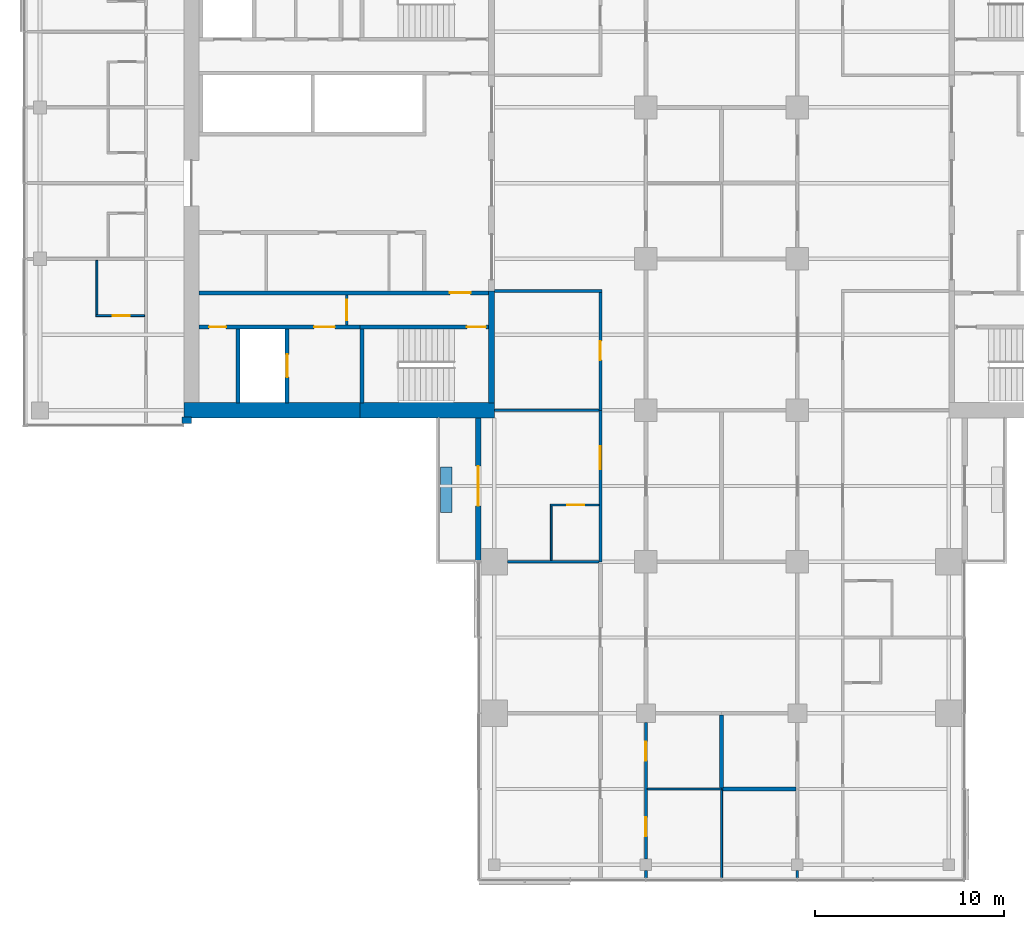
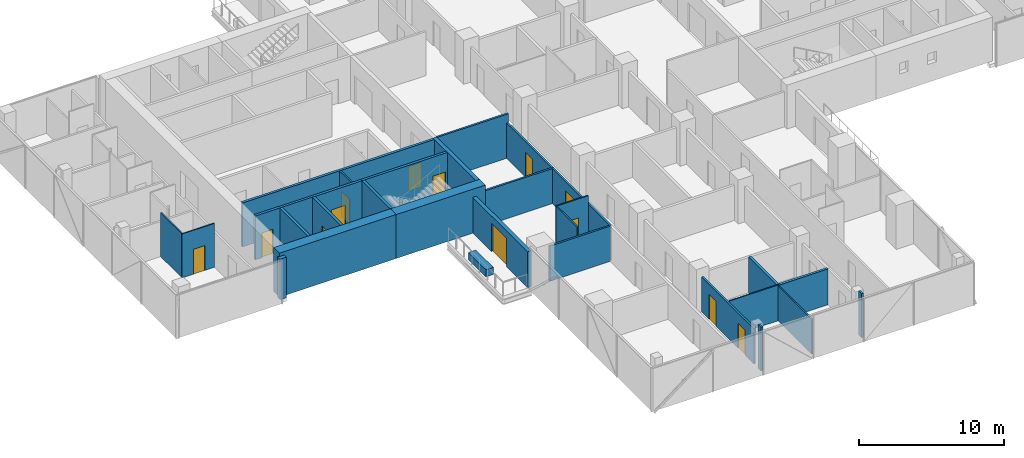
# One storey, part 15 of 27: 29 walls, 13 doors, 13 openings.
"""IFC4 building model written with IfcOpenShell, lengths in metres."""

from ifc_helpers import new_model, si_unit, direction, frame, frame_2d, origin, place, context, subcontext, project, spatial, rectangle, extrude, material, layer, layer_set, constituent, constituent_set, type_object, element, fill, save


model = new_model("IFC4")

# Units and contexts
model_context = context("Model", 3, precision=1e-05, world=origin(), true_north=direction((0.0, 1.0)))
body_context = subcontext(model_context, "Body", "Model", "MODEL_VIEW")
ifc_project = project(units=[si_unit("LENGTHUNIT", "METRE"), si_unit("AREAUNIT", "SQUARE_METRE"), si_unit("VOLUMEUNIT", "CUBIC_METRE"), si_unit("PLANEANGLEUNIT", "RADIAN"), si_unit("MASSUNIT", "GRAM", prefix="KILO")], contexts=[model_context])

# Site, building, storey
site_placement = place(None, origin())
site = spatial("IfcSite", under=ifc_project, at=site_placement, CompositionType="ELEMENT")
building_placement = place(site_placement, origin())
building = spatial("IfcBuilding", under=site, at=building_placement, Name="Crosswind Convention Tower", CompositionType="ELEMENT")
storey_placement = place(building_placement, frame((0.0, 0.0, 94.199951171875)))
storey = spatial("IfcBuildingStorey", under=building, at=storey_placement, Name="L18", CompositionType="ELEMENT", Elevation=94.199951171875)

# Walls
ifc_material_1 = material(Name="Concrete blockwork", Category="masonry")
ifc_layer_1 = layer(ifc_material_1, 0.199951171875)
ifc_layer_set_1 = layer_set([ifc_layer_1], Name="COMPARTMENT WALL 200")
wall_type_1 = type_object("IfcWallType", Name="COMPARTMENT WALL 200", PredefinedType="SOLIDWALL", material=ifc_layer_set_1)
wall_1_placement = place(storey_placement, frame((125.0, 68.0, 0.0), z_axis=(0.0, 0.0, 1.0), x_axis=(1.0, 0.0, 0.0)))
element("IfcWall", 1, at=wall_1_placement, inside=storey, type_object=wall_type_1, Name="Compartment Wall 2", PredefinedType="SOLIDWALL", context=body_context, shape_type="SweptSolid", body=[
    extrude(rectangle(XDim=3.925048828125, YDim=0.199951171875, at=frame_2d((1.96240234375, 0.0))), origin(), (0.0, 0.0, 1.0), 3.013671875),
])
wall_2_placement = place(storey_placement, frame((125.0, 68.050048828125, 0.0), z_axis=(0.0, 0.0, 1.0), x_axis=(0.0, 1.0, 0.0)))
element("IfcWall", 2, at=wall_2_placement, inside=storey, type_object=wall_type_1, Name="Compartment Wall 95", PredefinedType="SOLIDWALL", context=body_context, shape_type="SweptSolid", body=[
    extrude(rectangle(XDim=3.849853515625, YDim=0.199951171875, at=frame_2d((1.9248046875, 0.0))), origin(), (0.0, 0.0, 1.0), 3.013671875),
])
ifc_material_2 = material(Name="Plasterboard partition", Category="gypsum")
ifc_layer_2 = layer(ifc_material_2, 0.14990234375)
ifc_layer_set_2 = layer_set([ifc_layer_2], Name="CORRIDOR WALL 150")
wall_type_2 = type_object("IfcWallType", Name="CORRIDOR WALL 150", PredefinedType="PARTITIONING", material=ifc_layer_set_2)
wall_3_placement = place(storey_placement, frame((113.0, 94.300048828125, 0.0), z_axis=(0.0, 0.0, 1.0), x_axis=(1.0, 0.0, 0.0)))
element("IfcWall", 3, at=wall_3_placement, inside=storey, type_object=wall_type_2, Name="Corridor Wall 18", PredefinedType="PARTITIONING", context=body_context, shape_type="SweptSolid", body=[
    extrude(rectangle(XDim=5.675048828125, YDim=0.14990234375, at=frame_2d((2.83740234375, 0.0))), origin(), (0.0, 0.0, 1.0), 3.699951171875),
])

# Wall, opening, door
wall_4_placement = place(storey_placement, frame((118.60009765625, 88.0, 0.0), z_axis=(0.0, 0.0, 1.0), x_axis=(0.0, 1.0, 0.0)))
wall_4 = element("IfcWall", 4, at=wall_4_placement, inside=storey, type_object=wall_type_2, Name="Corridor Wall 80", PredefinedType="PARTITIONING", context=body_context, shape_type="SweptSolid", body=[
    extrude(rectangle(XDim=6.22509765625, YDim=0.14990234375, at=frame_2d((3.112548828125, 0.0))), origin(), (0.0, 0.0, 1.0), 2.95654296875),
])
opening_1_placement = place(wall_4_placement, frame((2.64990234375, 0.0, 0.0)))
opening_1 = element("IfcOpeningElement", 5, at=opening_1_placement, cuts=wall_4, Name="Opening 18.004", PredefinedType="OPENING", context=body_context, shape_type="SweptSolid", body=[
    extrude(rectangle(XDim=1.0, YDim=2.10009765625, at=frame_2d((0.5, 1.050048828125))), frame((0.0, 0.0849609375, 0.0), z_axis=(0.0, -1.0, 0.0), x_axis=(1.0, 0.0, 0.0)), (0.0, 0.0, 1.0), 0.169921875),
])
ifc_material_3 = material(Name="Timber fire door", Category="wood")
door_type_1 = type_object("IfcDoorType", Name="SERVICE ROOM DOOR 1000X2100", OperationType="NOTDEFINED", PredefinedType="DOOR", material=ifc_material_3)
door_1_placement = place(opening_1_placement, origin())
door_1 = element("IfcDoor", 6, at=door_1_placement, inside=storey, type_object=door_type_1, Name="Door 18.004", ObjectType="D3", OperationType="SINGLE_SWING_RIGHT", OverallHeight=2.10009765625, OverallWidth=1.0, PredefinedType="DOOR", context=body_context, shape_type="SweptSolid", body=[
    extrude(rectangle(XDim=1.0, YDim=2.10009765625, at=frame_2d((0.5, 1.050048828125))), frame((0.0, 0.02490234375, 0.0), z_axis=(0.0, -1.0, 0.0), x_axis=(1.0, 0.0, 0.0)), (0.0, 0.0, 1.0), 0.050048828125),
])
fill(opening_1, door_1)

# Wall
wall_5_placement = place(storey_placement, frame((121.0, 63.300048828125, 0.0), z_axis=(0.0, 0.0, 1.0), x_axis=(0.0, 1.0, 0.0)))
element("IfcWall", 7, at=wall_5_placement, inside=storey, type_object=wall_type_2, Name="Corridor Wall 83", PredefinedType="PARTITIONING", context=body_context, shape_type="SweptSolid", body=[
    extrude(rectangle(XDim=0.39990234375, YDim=0.14990234375, at=frame_2d((0.199951171875, 0.0))), origin(), (0.0, 0.0, 1.0), 3.699951171875),
])

# Wall, openings, doors
wall_6_placement = place(storey_placement, frame((121.0, 64.300048828125, 0.0), z_axis=(0.0, 0.0, 1.0), x_axis=(0.0, 1.0, 0.0)))
wall_6 = element("IfcWall", 8, at=wall_6_placement, inside=storey, type_object=wall_type_2, Name="Corridor Wall 84", PredefinedType="PARTITIONING", context=body_context, shape_type="SweptSolid", body=[
    extrude(rectangle(XDim=7.199951171875, YDim=0.14990234375, at=frame_2d((3.60009765625, 0.0))), origin(), (0.0, 0.0, 1.0), 2.9599609375),
])
opening_2_placement = place(wall_6_placement, frame((1.199951171875, 0.0, 0.0)))
opening_2 = element("IfcOpeningElement", 9, at=opening_2_placement, cuts=wall_6, Name="Opening 18.050", PredefinedType="OPENING", context=body_context, shape_type="SweptSolid", body=[
    extrude(rectangle(XDim=1.0, YDim=2.10009765625, at=frame_2d((0.5, 1.050048828125))), frame((0.0, 0.0849609375, 0.0), z_axis=(0.0, -1.0, 0.0), x_axis=(1.0, 0.0, 0.0)), (0.0, 0.0, 1.0), 0.169921875),
])
opening_3_placement = place(wall_6_placement, frame((5.199951171875, 0.0, 0.0)))
opening_3 = element("IfcOpeningElement", 10, at=opening_3_placement, cuts=wall_6, Name="Opening 18.051", PredefinedType="OPENING", context=body_context, shape_type="SweptSolid", body=[
    extrude(rectangle(XDim=1.0, YDim=2.10009765625, at=frame_2d((0.5, 1.050048828125))), frame((0.0, 0.0849609375, 0.0), z_axis=(0.0, -1.0, 0.0), x_axis=(1.0, 0.0, 0.0)), (0.0, 0.0, 1.0), 0.169921875),
])
door_2_placement = place(opening_2_placement, frame((1.0, 0.0, 0.0), z_axis=(0.0, 0.0, 1.0), x_axis=(-1.0, 0.0, 0.0)))
door_2 = element("IfcDoor", 11, at=door_2_placement, inside=storey, type_object=door_type_1, Name="Door 18.050", ObjectType="D3", OperationType="SINGLE_SWING_RIGHT", OverallHeight=2.10009765625, OverallWidth=1.0, PredefinedType="DOOR", context=body_context, shape_type="SweptSolid", body=[
    extrude(rectangle(XDim=1.0, YDim=2.10009765625, at=frame_2d((0.5, 1.050048828125))), frame((0.0, 0.02490234375, 0.0), z_axis=(0.0, -1.0, 0.0), x_axis=(1.0, 0.0, 0.0)), (0.0, 0.0, 1.0), 0.050048828125),
])
fill(opening_2, door_2)
door_3_placement = place(opening_3_placement, frame((1.0, 0.0, 0.0), z_axis=(0.0, 0.0, 1.0), x_axis=(-1.0, 0.0, 0.0)))
door_3 = element("IfcDoor", 12, at=door_3_placement, inside=storey, type_object=door_type_1, Name="Door 18.051", ObjectType="D3", OperationType="SINGLE_SWING_LEFT", OverallHeight=2.10009765625, OverallWidth=1.0, PredefinedType="DOOR", context=body_context, shape_type="SweptSolid", body=[
    extrude(rectangle(XDim=1.0, YDim=2.10009765625, at=frame_2d((0.5, 1.050048828125))), frame((0.0, 0.02490234375, 0.0), z_axis=(0.0, -1.0, 0.0), x_axis=(1.0, 0.0, 0.0)), (0.0, 0.0, 1.0), 0.050048828125),
])
fill(opening_3, door_3)

# Walls
wall_7_placement = place(storey_placement, frame((129.0, 63.300048828125, 0.0), z_axis=(0.0, 0.0, 1.0), x_axis=(0.0, 1.0, 0.0)))
element("IfcWall", 13, at=wall_7_placement, inside=storey, type_object=wall_type_2, Name="Corridor Wall 101", PredefinedType="PARTITIONING", context=body_context, shape_type="SweptSolid", body=[
    extrude(rectangle(XDim=0.39990234375, YDim=0.14990234375, at=frame_2d((0.199951171875, 0.0))), origin(), (0.0, 0.0, 1.0), 3.699951171875),
])
ifc_material_4 = material(Name="Concrete C50/60", Category="concrete")
ifc_layer_3 = layer(ifc_material_4, 0.300048828125)
ifc_layer_set_3 = layer_set([ifc_layer_3], Name="Concrete C50/60")
wall_type_3 = type_object("IfcWallType", Name="Concrete inner core wall 300", PredefinedType="SHEAR", material=ifc_layer_set_3)
wall_8_placement = place(storey_placement, frame((112.85009765625, 94.300048828125, 0.0), z_axis=(0.0, 0.0, 1.0), x_axis=(0.0, -1.0, 0.0)))
element("IfcWall", 14, at=wall_8_placement, inside=storey, type_object=wall_type_3, Name="Wall EP W L18", PredefinedType="SHEAR", context=body_context, shape_type="SweptSolid", body=[
    extrude(rectangle(XDim=5.900146484375, YDim=0.300048828125, at=frame_2d((2.9501953125, 0.0))), origin(), (0.0, 0.0, 1.0), 3.699951171875),
])

# Wall, opening, door
ifc_layer_4 = layer(ifc_material_4, 0.199951171875)
ifc_layer_set_4 = layer_set([ifc_layer_4], Name="Concrete C50/60")
wall_type_4 = type_object("IfcWallType", Name="Concrete shaft and stair wall 200", PredefinedType="SHEAR", material=ifc_layer_set_4)
wall_9_placement = place(storey_placement, frame((112.699951171875, 94.199951171875, 0.0), z_axis=(0.0, 0.0, 1.0), x_axis=(-1.0, 0.0, 0.0)))
wall_9 = element("IfcWall", 15, at=wall_9_placement, inside=storey, type_object=wall_type_4, Name="Wall HP W L18", PredefinedType="SHEAR", context=body_context, shape_type="SweptSolid", body=[
    extrude(rectangle(XDim=15.300048828125, YDim=0.199951171875, at=frame_2d((7.64990234375, 0.0))), origin(), (0.0, 0.0, 1.0), 3.699951171875),
])
opening_4_placement = place(wall_9_placement, frame((0.949951171875, 0.0, 0.0)))
opening_4 = element("IfcOpeningElement", 16, at=opening_4_placement, cuts=wall_9, Name="Opening D104", PredefinedType="OPENING", context=body_context, shape_type="SweptSolid", body=[
    extrude(rectangle(XDim=1.10009765625, YDim=2.10009765625, at=frame_2d((0.550048828125, 1.050048828125))), frame((0.0, 0.10986328125, 0.0), z_axis=(0.0, -1.0, 0.0), x_axis=(1.0, 0.0, 0.0)), (0.0, 0.0, 1.0), 0.219970703125),
])
ifc_material_5 = material(Name="Steel fire door", Category="steel")
door_type_2 = type_object("IfcDoorType", Name="Fire-rated single door 1100x2100", OperationType="NOTDEFINED", PredefinedType="DOOR", material=ifc_material_5)
door_4_placement = place(opening_4_placement, origin())
door_4 = element("IfcDoor", 17, at=door_4_placement, inside=storey, type_object=door_type_2, Name="Corridor door L18", ObjectType="D104", OperationType="SINGLE_SWING_LEFT", OverallHeight=2.10009765625, OverallWidth=1.10009765625, PredefinedType="DOOR", context=body_context, shape_type="SweptSolid", body=[
    extrude(rectangle(XDim=1.10009765625, YDim=2.10009765625, at=frame_2d((0.550048828125, 1.050048828125))), frame((0.0, 0.02490234375, 0.0), z_axis=(0.0, -1.0, 0.0), x_axis=(1.0, 0.0, 0.0)), (0.0, 0.0, 1.0), 0.050048828125),
])
fill(opening_4, door_4)

# Wall
wall_10_placement = place(storey_placement, frame((106.0, 92.300048828125, 0.0), z_axis=(0.0, 0.0, 1.0), x_axis=(0.0, -1.0, 0.0)))
element("IfcWall", 18, at=wall_10_placement, inside=storey, type_object=wall_type_4, Name="Wall PSE W L18", PredefinedType="SHEAR", context=body_context, shape_type="SweptSolid", body=[
    extrude(rectangle(XDim=3.900146484375, YDim=0.199951171875, at=frame_2d((1.9501953125, 0.0))), origin(), (0.0, 0.0, 1.0), 3.699951171875),
])

# Wall, opening, door
wall_11_placement = place(storey_placement, frame((102.050048828125, 92.300048828125, 0.0), z_axis=(0.0, 0.0, 1.0), x_axis=(0.0, -1.0, 0.0)))
wall_11 = element("IfcWall", 19, at=wall_11_placement, inside=storey, type_object=wall_type_4, Name="Wall PFLW W L18", PredefinedType="SHEAR", context=body_context, shape_type="SweptSolid", body=[
    extrude(rectangle(XDim=3.900146484375, YDim=0.199951171875, at=frame_2d((1.9501953125, 0.0))), origin(), (0.0, 0.0, 1.0), 3.699951171875),
])
opening_5_placement = place(wall_11_placement, frame((1.35009765625, 0.0, 0.0)))
opening_5 = element("IfcOpeningElement", 20, at=opening_5_placement, cuts=wall_11, Name="Opening LD1", PredefinedType="OPENING", context=body_context, shape_type="SweptSolid", body=[
    extrude(rectangle(XDim=1.199951171875, YDim=2.10009765625, at=frame_2d((0.60009765625, 1.050048828125))), frame((0.0, 0.10986328125, 0.0), z_axis=(0.0, -1.0, 0.0), x_axis=(1.0, 0.0, 0.0)), (0.0, 0.0, 1.0), 0.219970703125),
])
ifc_material_6 = material(Name="Stainless steel", Category="steel")
door_type_3 = type_object("IfcDoorType", Name="Lift landing door 1200x2100", OperationType="DOUBLE_DOOR_SLIDING", PredefinedType="DOOR", material=ifc_material_6)
door_5_placement = place(opening_5_placement, origin())
door_5 = element("IfcDoor", 21, at=door_5_placement, inside=storey, type_object=door_type_3, Name="Landing door FF2 L18", ObjectType="LD1", OperationType="DOUBLE_DOOR_SLIDING", OverallHeight=2.10009765625, OverallWidth=1.199951171875, PredefinedType="DOOR", context=body_context, shape_type="SweptSolid", body=[
    extrude(rectangle(XDim=1.199951171875, YDim=2.10009765625, at=frame_2d((0.60009765625, 1.050048828125))), frame((0.0, 0.02490234375, 0.0), z_axis=(0.0, -1.0, 0.0), x_axis=(1.0, 0.0, 0.0)), (0.0, 0.0, 1.0), 0.050048828125),
])
fill(opening_5, door_5)

# Wall
wall_12_placement = place(storey_placement, frame((99.449951171875, 92.300048828125, 0.0), z_axis=(0.0, 0.0, 1.0), x_axis=(0.0, -1.0, 0.0)))
element("IfcWall", 22, at=wall_12_placement, inside=storey, type_object=wall_type_4, Name="Wall PFSE W L18", PredefinedType="SHEAR", context=body_context, shape_type="SweptSolid", body=[
    extrude(rectangle(XDim=3.900146484375, YDim=0.199951171875, at=frame_2d((1.9501953125, 0.0))), origin(), (0.0, 0.0, 1.0), 3.699951171875),
])

# Wall, opening, door
wall_13_placement = place(storey_placement, frame((112.699951171875, 92.39990234375, 0.0), z_axis=(0.0, 0.0, 1.0), x_axis=(-1.0, 0.0, 0.0)))
wall_13 = element("IfcWall", 23, at=wall_13_placement, inside=storey, type_object=wall_type_4, Name="Wall PCW W L18", PredefinedType="SHEAR", context=body_context, shape_type="SweptSolid", body=[
    extrude(rectangle(XDim=6.800048828125, YDim=0.199951171875, at=frame_2d((3.39990234375, 0.0))), origin(), (0.0, 0.0, 1.0), 3.699951171875),
])
opening_6_placement = place(wall_13_placement, frame((0.14990234375, 0.0, 0.0)))
opening_6 = element("IfcOpeningElement", 24, at=opening_6_placement, cuts=wall_13, Name="Opening D103", PredefinedType="OPENING", context=body_context, shape_type="SweptSolid", body=[
    extrude(rectangle(XDim=1.0, YDim=2.10009765625, at=frame_2d((0.5, 1.050048828125))), frame((0.0, 0.10986328125, 0.0), z_axis=(0.0, -1.0, 0.0), x_axis=(1.0, 0.0, 0.0)), (0.0, 0.0, 1.0), 0.219970703125),
])
door_type_4 = type_object("IfcDoorType", Name="Fire-rated single door 1000x2100", OperationType="NOTDEFINED", PredefinedType="DOOR", material=ifc_material_5)
door_6_placement = place(opening_6_placement, origin())
door_6 = element("IfcDoor", 25, at=door_6_placement, inside=storey, type_object=door_type_4, Name="Stair ST3 door L18", ObjectType="D103", OperationType="SINGLE_SWING_LEFT", OverallHeight=2.10009765625, OverallWidth=1.0, PredefinedType="DOOR", context=body_context, shape_type="SweptSolid", body=[
    extrude(rectangle(XDim=1.0, YDim=2.10009765625, at=frame_2d((0.5, 1.050048828125))), frame((0.0, 0.02490234375, 0.0), z_axis=(0.0, -1.0, 0.0), x_axis=(1.0, 0.0, 0.0)), (0.0, 0.0, 1.0), 0.050048828125),
])
fill(opening_6, door_6)

# Wall, openings, doors
wall_14_placement = place(storey_placement, frame((105.89990234375, 92.39990234375, 0.0), z_axis=(0.0, 0.0, 1.0), x_axis=(-1.0, 0.0, 0.0)))
wall_14 = element("IfcWall", 26, at=wall_14_placement, inside=storey, type_object=wall_type_4, Name="Wall PCX W L18", PredefinedType="SHEAR", context=body_context, shape_type="SweptSolid", body=[
    extrude(rectangle(XDim=8.5, YDim=0.199951171875, at=frame_2d((4.25, 0.0))), origin(), (0.0, 0.0, 1.0), 3.699951171875),
])
opening_7_placement = place(wall_14_placement, frame((1.324951171875, 0.0, 0.0)))
opening_7 = element("IfcOpeningElement", 27, at=opening_7_placement, cuts=wall_14, Name="Opening D104", PredefinedType="OPENING", context=body_context, shape_type="SweptSolid", body=[
    extrude(rectangle(XDim=1.10009765625, YDim=2.10009765625, at=frame_2d((0.550048828125, 1.050048828125))), frame((0.0, 0.10986328125, 0.0), z_axis=(0.0, -1.0, 0.0), x_axis=(1.0, 0.0, 0.0)), (0.0, 0.0, 1.0), 0.219970703125),
])
opening_8_placement = place(wall_14_placement, frame((7.074951171875, 0.0, 0.0)))
opening_8 = element("IfcOpeningElement", 28, at=opening_8_placement, cuts=wall_14, Name="Opening D106", PredefinedType="OPENING", context=body_context, shape_type="SweptSolid", body=[
    extrude(rectangle(XDim=0.89990234375, YDim=2.10009765625, at=frame_2d((0.449951171875, 1.050048828125))), frame((0.0, 0.10986328125, 0.0), z_axis=(0.0, -1.0, 0.0), x_axis=(1.0, 0.0, 0.0)), (0.0, 0.0, 1.0), 0.219970703125),
])
door_7_placement = place(opening_7_placement, origin())
door_7 = element("IfcDoor", 29, at=door_7_placement, inside=storey, type_object=door_type_2, Name="Fire-fighting lobby FF2 door L18", ObjectType="D104", OperationType="SINGLE_SWING_RIGHT", OverallHeight=2.10009765625, OverallWidth=1.10009765625, PredefinedType="DOOR", context=body_context, shape_type="SweptSolid", body=[
    extrude(rectangle(XDim=1.10009765625, YDim=2.10009765625, at=frame_2d((0.550048828125, 1.050048828125))), frame((0.0, 0.02490234375, 0.0), z_axis=(0.0, -1.0, 0.0), x_axis=(1.0, 0.0, 0.0)), (0.0, 0.0, 1.0), 0.050048828125),
])
fill(opening_7, door_7)
ifc_material_7 = material(Name="Timber door", Category="wood")
door_type_5 = type_object("IfcDoorType", Name="Single leaf door 900x2100", OperationType="NOTDEFINED", PredefinedType="DOOR", material=ifc_material_7)
door_8_placement = place(opening_8_placement, origin())
door_8 = element("IfcDoor", 30, at=door_8_placement, inside=storey, type_object=door_type_5, Name="Door to electrical room L18", ObjectType="D106", OperationType="SINGLE_SWING_RIGHT", OverallHeight=2.10009765625, OverallWidth=0.89990234375, PredefinedType="DOOR", context=body_context, shape_type="SweptSolid", body=[
    extrude(rectangle(XDim=0.89990234375, YDim=2.10009765625, at=frame_2d((0.449951171875, 1.050048828125))), frame((0.0, 0.02490234375, 0.0), z_axis=(0.0, -1.0, 0.0), x_axis=(1.0, 0.0, 0.0)), (0.0, 0.0, 1.0), 0.050048828125),
])
fill(opening_8, door_8)

# Wall, opening, door
ifc_material_8 = material(Name="Gypsum plasterboard partition", Category="gypsum")
ifc_layer_5 = layer(ifc_material_8, 0.125)
ifc_layer_set_5 = layer_set([ifc_layer_5], Name="Drywall partition wall 125")
wall_type_5 = type_object("IfcWallType", Name="Drywall partition wall 125", PredefinedType="PARTITIONING", material=ifc_layer_set_5)
wall_15_placement = place(storey_placement, frame((105.199951171875, 94.10009765625, 0.0), z_axis=(0.0, 0.0, 1.0), x_axis=(0.0, -1.0, 0.0)))
wall_15 = element("IfcWall", 31, at=wall_15_placement, inside=storey, type_object=wall_type_5, Name="Wall PXC1 W L18", PredefinedType="PARTITIONING", context=body_context, shape_type="SweptSolid", body=[
    extrude(rectangle(XDim=1.60009765625, YDim=0.125, at=frame_2d((0.800048828125, 0.0))), origin(), (0.0, 0.0, 1.0), 3.699951171875),
])
opening_9_placement = place(wall_15_placement, frame((0.25, 0.0, 0.0)))
opening_9 = element("IfcOpeningElement", 32, at=opening_9_placement, cuts=wall_15, Name="Opening D104", PredefinedType="OPENING", context=body_context, shape_type="SweptSolid", body=[
    extrude(rectangle(XDim=1.10009765625, YDim=2.10009765625, at=frame_2d((0.550048828125, 1.050048828125))), frame((0.0, 0.072509765625, 0.0), z_axis=(0.0, -1.0, 0.0), x_axis=(1.0, 0.0, 0.0)), (0.0, 0.0, 1.0), 0.14501953125),
])
door_9_placement = place(opening_9_placement, origin())
door_9 = element("IfcDoor", 33, at=door_9_placement, inside=storey, type_object=door_type_2, Name="Corridor smoke door L18", ObjectType="D104", OperationType="SINGLE_SWING_RIGHT", OverallHeight=2.10009765625, OverallWidth=1.10009765625, PredefinedType="DOOR", context=body_context, shape_type="SweptSolid", body=[
    extrude(rectangle(XDim=1.10009765625, YDim=2.10009765625, at=frame_2d((0.550048828125, 1.050048828125))), frame((0.0, 0.02490234375, 0.0), z_axis=(0.0, -1.0, 0.0), x_axis=(1.0, 0.0, 0.0)), (0.0, 0.0, 1.0), 0.050048828125),
])
fill(opening_9, door_9)

# Walls
ifc_material_9 = material(Name="Acoustic plasterboard partition", Category="gypsum")
ifc_layer_6 = layer(ifc_material_9, 0.14990234375)
ifc_layer_set_6 = layer_set([ifc_layer_6], Name="GUEST ROOM WALL 150")
wall_type_6 = type_object("IfcWallType", Name="GUEST ROOM WALL 150", PredefinedType="PARTITIONING", material=ifc_layer_set_6)
wall_16_placement = place(storey_placement, frame((113.699951171875, 80.0, 0.0), z_axis=(0.0, 0.0, 1.0), x_axis=(1.0, 0.0, 0.0)))
element("IfcWall", 34, at=wall_16_placement, inside=storey, type_object=wall_type_6, Name="Guest Room Wall 9", PredefinedType="PARTITIONING", context=body_context, shape_type="SweptSolid", body=[
    extrude(rectangle(XDim=4.824951171875, YDim=0.14990234375, at=frame_2d((2.41259765625, 0.0))), origin(), (0.0, 0.0, 1.0), 2.9599609375),
])
wall_17_placement = place(storey_placement, frame((113.0, 88.0, 0.0), z_axis=(0.0, 0.0, 1.0), x_axis=(1.0, 0.0, 0.0)))
element("IfcWall", 35, at=wall_17_placement, inside=storey, type_object=wall_type_6, Name="Guest Room Wall 12", PredefinedType="PARTITIONING", context=body_context, shape_type="SweptSolid", body=[
    extrude(rectangle(XDim=5.52490234375, YDim=0.14990234375, at=frame_2d((2.762451171875, 0.0))), origin(), (0.0, 0.0, 1.0), 2.95654296875),
])

# Wall, opening, door
wall_18_placement = place(storey_placement, frame((118.60009765625, 80.0, 0.0), z_axis=(0.0, 0.0, 1.0), x_axis=(0.0, 1.0, 0.0)))
wall_18 = element("IfcWall", 36, at=wall_18_placement, inside=storey, type_object=wall_type_6, Name="Guest Room Wall 79", PredefinedType="PARTITIONING", context=body_context, shape_type="SweptSolid", body=[
    extrude(rectangle(XDim=8.0, YDim=0.14990234375, at=frame_2d((4.0, 0.0))), origin(), (0.0, 0.0, 1.0), 2.95654296875),
])
opening_10_placement = place(wall_18_placement, frame((4.89990234375, 0.0, 0.0)))
opening_10 = element("IfcOpeningElement", 37, at=opening_10_placement, cuts=wall_18, Name="Opening 18.024", PredefinedType="OPENING", context=body_context, shape_type="SweptSolid", body=[
    extrude(rectangle(XDim=1.199951171875, YDim=2.199951171875, at=frame_2d((0.60009765625, 1.10009765625))), frame((0.0, 0.0849609375, 0.0), z_axis=(0.0, -1.0, 0.0), x_axis=(1.0, 0.0, 0.0)), (0.0, 0.0, 1.0), 0.169921875),
])
door_type_6 = type_object("IfcDoorType", Name="SUITE DOOR 1200X2200", OperationType="DOUBLE_DOOR_SINGLE_SWING", PredefinedType="DOOR", material=ifc_material_3)
door_10_placement = place(opening_10_placement, origin())
door_10 = element("IfcDoor", 38, at=door_10_placement, inside=storey, type_object=door_type_6, Name="Door 18.024", ObjectType="D14", OperationType="DOUBLE_DOOR_SINGLE_SWING", OverallHeight=2.199951171875, OverallWidth=1.199951171875, PredefinedType="DOOR", context=body_context, shape_type="SweptSolid", body=[
    extrude(rectangle(XDim=1.199951171875, YDim=2.199951171875, at=frame_2d((0.60009765625, 1.10009765625))), frame((0.0, 0.02490234375, 0.0), z_axis=(0.0, -1.0, 0.0), x_axis=(1.0, 0.0, 0.0)), (0.0, 0.0, 1.0), 0.050048828125),
])
fill(opening_10, door_10)

# Walls
ifc_layer_7 = layer(ifc_material_2, 0.10009765625)
ifc_layer_set_7 = layer_set([ifc_layer_7], Name="PARTITION 100")
wall_type_7 = type_object("IfcWallType", Name="PARTITION 100", PredefinedType="PARTITIONING", material=ifc_layer_set_7)
wall_19_placement = place(storey_placement, frame((121.074951171875, 68.0, 0.0), z_axis=(0.0, 0.0, 1.0), x_axis=(1.0, 0.0, 0.0)))
element("IfcWall", 39, at=wall_19_placement, inside=storey, type_object=wall_type_7, Name="Partition 1", PredefinedType="PARTITIONING", context=body_context, shape_type="SweptSolid", body=[
    extrude(rectangle(XDim=3.925048828125, YDim=0.10009765625, at=frame_2d((1.96240234375, 0.0))), origin(), (0.0, 0.0, 1.0), 3.013671875),
])
wall_20_placement = place(storey_placement, frame((125.0, 63.300048828125, 0.0), z_axis=(0.0, 0.0, 1.0), x_axis=(0.0, 1.0, 0.0)))
element("IfcWall", 40, at=wall_20_placement, inside=storey, type_object=wall_type_7, Name="Partition 94", PredefinedType="PARTITIONING", context=body_context, shape_type="SweptSolid", body=[
    extrude(rectangle(XDim=4.64990234375, YDim=0.10009765625, at=frame_2d((2.324951171875, 0.0))), origin(), (0.0, 0.0, 1.0), 2.962890625),
])
ifc_material_10 = material(Name="Concrete C30/37", Category="concrete")
ifc_layer_8 = layer(ifc_material_10, 0.60009765625)
ifc_layer_set_8 = layer_set([ifc_layer_8], Name="Concrete C30/37")
wall_type_8 = type_object("IfcWallType", Name="PLANTER BOX WALL 600", PredefinedType="SOLIDWALL", material=ifc_layer_set_8)
wall_21_placement = place(storey_placement, frame((110.449951171875, 85.0, 0.0), z_axis=(0.0, 0.0, 1.0), x_axis=(0.0, -1.0, 0.0)))
element("IfcWall", 41, at=wall_21_placement, inside=storey, type_object=wall_type_8, Name="PLANTER L18 S-W.1-1", PredefinedType="SOLIDWALL", context=body_context, shape_type="SweptSolid", body=[
    extrude(rectangle(XDim=2.39990234375, YDim=0.60009765625, at=frame_2d((1.199951171875, 0.0))), origin(), (0.0, 0.0, 1.0), 0.60009765625),
])
ifc_material_11 = material(Name="Terracotta rainscreen", Category="ceramic")
ifc_layer_9 = layer(ifc_material_11, 0.02001953125)
ifc_material_12 = material(Name="Mineral wool insulation", Category="insulation")
ifc_layer_10 = layer(ifc_material_12, 0.10009765625)
ifc_layer_11 = layer(ifc_material_1, 0.236083984375)
ifc_layer_set_9 = layer_set([ifc_layer_9, ifc_layer_10, ifc_layer_11], Name="TERRACOTTA CORNER INFILL WALL 356")
wall_type_9 = type_object("IfcWallType", Name="TERRACOTTA CORNER INFILL WALL 356", PredefinedType="SOLIDWALL", material=ifc_layer_set_9)
wall_22_placement = place(storey_placement, frame((96.4951171875, 87.47802734375, 0.0), z_axis=(0.0, 0.0, 1.0), x_axis=(1.0, 0.0, 0.0)))
element("IfcWall", 42, at=wall_22_placement, inside=storey, type_object=wall_type_9, Name="Core corner infill wall L18 3", PredefinedType="SOLIDWALL", context=body_context, shape_type="SweptSolid", body=[
    extrude(rectangle(XDim=0.5048828125, YDim=0.35595703125, at=frame_2d((0.25244140625, 0.0))), origin(), (0.0, 0.0, 1.0), 3.420166015625),
])

# Wall, opening, door
ifc_layer_12 = layer(ifc_material_11, 0.02001953125)
ifc_layer_13 = layer(ifc_material_12, 0.10009765625)
ifc_layer_14 = layer(ifc_material_1, 0.179931640625)
ifc_layer_set_10 = layer_set([ifc_layer_12, ifc_layer_13, ifc_layer_14], Name="TERRACOTTA INFILL WALL 300")
wall_type_10 = type_object("IfcWallType", Name="TERRACOTTA INFILL WALL 300", PredefinedType="SOLIDWALL", material=ifc_layer_set_10)
wall_23_placement = place(storey_placement, frame((112.14990234375, 87.60009765625, 0.0), z_axis=(0.0, 0.0, 1.0), x_axis=(0.0, -1.0, 0.0)))
wall_23 = element("IfcWall", 43, at=wall_23_placement, inside=storey, type_object=wall_type_10, Name="Notch front wall L18 S-W.1-1", PredefinedType="SOLIDWALL", context=body_context, shape_type="SweptSolid", body=[
    extrude(rectangle(XDim=7.567626953125, YDim=0.300048828125, at=frame_2d((3.78369140625, 0.0))), origin(), (0.0, 0.0, 1.0), 3.013671875),
])
opening_11_placement = place(wall_23_placement, frame((2.550048828125, 0.0, 0.0)))
opening_11 = element("IfcOpeningElement", 44, at=opening_11_placement, cuts=wall_23, Name="Opening D141", PredefinedType="OPENING", context=body_context, shape_type="SweptSolid", body=[
    extrude(rectangle(XDim=2.10009765625, YDim=2.39990234375, at=frame_2d((1.050048828125, 1.199951171875))), frame((0.0, 0.159912109375, 0.0), z_axis=(0.0, -1.0, 0.0), x_axis=(1.0, 0.0, 0.0)), (0.0, 0.0, 1.0), 0.320068359375),
])
ifc_material_13 = material(Name="Aluminium glazed door", Category="aluminium")
door_type_7 = type_object("IfcDoorType", Name="BALCONY SLIDING DOOR 2100X2400", OperationType="SLIDING_TO_LEFT", PredefinedType="DOOR", material=ifc_material_13)
door_11_placement = place(opening_11_placement, frame((2.10009765625, 0.0, 0.0), z_axis=(0.0, 0.0, 1.0), x_axis=(-1.0, 0.0, 0.0)))
door_11 = element("IfcDoor", 45, at=door_11_placement, inside=storey, type_object=door_type_7, Name="D141 balcony door L18 S-W.1-1", ObjectType="D141", OperationType="SLIDING_TO_LEFT", OverallHeight=2.39990234375, OverallWidth=2.10009765625, PredefinedType="DOOR", context=body_context, shape_type="SweptSolid", body=[
    extrude(rectangle(XDim=2.10009765625, YDim=2.39990234375, at=frame_2d((1.050048828125, 1.199951171875))), frame((0.0, 0.02490234375, 0.0), z_axis=(0.0, -1.0, 0.0), x_axis=(1.0, 0.0, 0.0)), (0.0, 0.0, 1.0), 0.050048828125),
])
fill(opening_11, door_11)

# Walls
ifc_material_14 = material(Name="Concrete C60/75", Category="concrete")
ifc_constituent_1 = constituent(ifc_material_14, Name="Structure")
ifc_constituent_2 = constituent(ifc_material_11, Name="Facing")
ifc_constituent_set = constituent_set(constituents=[ifc_constituent_1, ifc_constituent_2], Name="Concrete C60/75, Terracotta rainscreen")
wall_type_11 = type_object("IfcWallType", Name="Terracotta rainscreen on concrete core wall 800", PredefinedType="SHEAR", material=ifc_constituent_set)
wall_24_placement = place(storey_placement, frame((113.0, 88.0, 0.0), z_axis=(0.0, 0.0, 1.0), x_axis=(-1.0, 0.0, 0.0)))
element("IfcWall", 46, at=wall_24_placement, inside=storey, type_object=wall_type_11, Name="Wall N1 W L18", PredefinedType="SHEAR", context=body_context, shape_type="SweptSolid", body=[
    extrude(rectangle(XDim=7.10009765625, YDim=0.800048828125, at=frame_2d((3.550048828125, 0.0))), origin(), (0.0, 0.0, 1.0), 3.699951171875),
])
wall_25_placement = place(storey_placement, frame((105.89990234375, 88.0, 0.0), z_axis=(0.0, 0.0, 1.0), x_axis=(-1.0, 0.0, 0.0)))
element("IfcWall", 47, at=wall_25_placement, inside=storey, type_object=wall_type_11, Name="Wall N2 W L18", PredefinedType="SHEAR", context=body_context, shape_type="SweptSolid", body=[
    extrude(rectangle(XDim=9.2998046875, YDim=0.800048828125, at=frame_2d((4.64990234375, 0.0))), origin(), (0.0, 0.0, 1.0), 3.699951171875),
])

# Wall, opening, door
ifc_material_15 = material(Name="Water-resistant plasterboard partition", Category="gypsum")
ifc_layer_15 = layer(ifc_material_15, 0.10009765625)
ifc_layer_set_11 = layer_set([ifc_layer_15], Name="WET ROOM PARTITION 100")
wall_type_12 = type_object("IfcWallType", Name="WET ROOM PARTITION 100", PredefinedType="PLUMBINGWALL", material=ifc_layer_set_11)
wall_26_placement = place(storey_placement, frame((115.949951171875, 83.0, 0.0), z_axis=(0.0, 0.0, 1.0), x_axis=(1.0, 0.0, 0.0)))
wall_26 = element("IfcWall", 48, at=wall_26_placement, inside=storey, type_object=wall_type_12, Name="Wet Room Partition 11", PredefinedType="PLUMBINGWALL", context=body_context, shape_type="SweptSolid", body=[
    extrude(rectangle(XDim=2.574951171875, YDim=0.10009765625, at=frame_2d((1.28759765625, 0.0))), origin(), (0.0, 0.0, 1.0), 3.699951171875),
])
opening_12_placement = place(wall_26_placement, frame((0.89990234375, 0.0, 0.0)))
opening_12 = element("IfcOpeningElement", 49, at=opening_12_placement, cuts=wall_26, Name="Opening 18.025", PredefinedType="OPENING", context=body_context, shape_type="SweptSolid", body=[
    extrude(rectangle(XDim=0.89990234375, YDim=2.10009765625, at=frame_2d((0.449951171875, 1.050048828125))), frame((0.0, 0.06005859375, 0.0), z_axis=(0.0, -1.0, 0.0), x_axis=(1.0, 0.0, 0.0)), (0.0, 0.0, 1.0), 0.1201171875),
])
door_type_8 = type_object("IfcDoorType", Name="EN-SUITE DOOR 900X2100", OperationType="NOTDEFINED", PredefinedType="DOOR", material=ifc_material_7)
door_12_placement = place(opening_12_placement, frame((0.89990234375, 0.0, 0.0), z_axis=(0.0, 0.0, 1.0), x_axis=(-1.0, 0.0, 0.0)))
door_12 = element("IfcDoor", 50, at=door_12_placement, inside=storey, type_object=door_type_8, Name="Door 18.025", ObjectType="D2", OperationType="SINGLE_SWING_LEFT", OverallHeight=2.10009765625, OverallWidth=0.89990234375, PredefinedType="DOOR", context=body_context, shape_type="SweptSolid", body=[
    extrude(rectangle(XDim=0.89990234375, YDim=2.10009765625, at=frame_2d((0.449951171875, 1.050048828125))), frame((0.0, 0.02490234375, 0.0), z_axis=(0.0, -1.0, 0.0), x_axis=(1.0, 0.0, 0.0)), (0.0, 0.0, 1.0), 0.050048828125),
])
fill(opening_12, door_12)

wall_27_placement = place(storey_placement, frame((91.949951171875, 93.0, 0.0), z_axis=(0.0, 0.0, 1.0), x_axis=(1.0, 0.0, 0.0)))
wall_27 = element("IfcWall", 51, at=wall_27_placement, inside=storey, type_object=wall_type_12, Name="Wet Room Partition 17", PredefinedType="PLUMBINGWALL", context=body_context, shape_type="SweptSolid", body=[
    extrude(rectangle(XDim=2.574951171875, YDim=0.10009765625, at=frame_2d((1.28759765625, 0.0))), origin(), (0.0, 0.0, 1.0), 3.699951171875),
])
opening_13_placement = place(wall_27_placement, frame((0.89990234375, 0.0, 0.0)))
opening_13 = element("IfcOpeningElement", 52, at=opening_13_placement, cuts=wall_27, Name="Opening 18.041", PredefinedType="OPENING", context=body_context, shape_type="SweptSolid", body=[
    extrude(rectangle(XDim=0.89990234375, YDim=2.10009765625, at=frame_2d((0.449951171875, 1.050048828125))), frame((0.0, 0.06005859375, 0.0), z_axis=(0.0, -1.0, 0.0), x_axis=(1.0, 0.0, 0.0)), (0.0, 0.0, 1.0), 0.1201171875),
])
door_13_placement = place(opening_13_placement, origin())
door_13 = element("IfcDoor", 53, at=door_13_placement, inside=storey, type_object=door_type_8, Name="Door 18.041", ObjectType="D2", OperationType="SINGLE_SWING_RIGHT", OverallHeight=2.10009765625, OverallWidth=0.89990234375, PredefinedType="DOOR", context=body_context, shape_type="SweptSolid", body=[
    extrude(rectangle(XDim=0.89990234375, YDim=2.10009765625, at=frame_2d((0.449951171875, 1.050048828125))), frame((0.0, 0.02490234375, 0.0), z_axis=(0.0, -1.0, 0.0), x_axis=(1.0, 0.0, 0.0)), (0.0, 0.0, 1.0), 0.050048828125),
])
fill(opening_13, door_13)

# Walls
for number, where, z_axis, x_axis, name in (
    (54, (92.0, 93.050048828125, 0.0), (0.0, 0.0, 1.0), (0.0, 1.0, 0.0), "Wet Room Partition 66"),
    (55, (116.0, 80.074951171875, 0.0), (0.0, 0.0, 1.0), (0.0, 1.0, 0.0), "Wet Room Partition 72"),
):
    element("IfcWall", number, at=place(storey_placement, frame(where, z_axis=z_axis, x_axis=x_axis)), inside=storey, type_object=wall_type_12, Name=name, PredefinedType="PLUMBINGWALL", context=body_context, shape_type="SweptSolid", body=[
        extrude(rectangle(XDim=2.875, YDim=0.10009765625, at=frame_2d((1.4375, 0.0))), origin(), (0.0, 0.0, 1.0), 3.699951171875),
    ])

save(model, "model.ifc")
